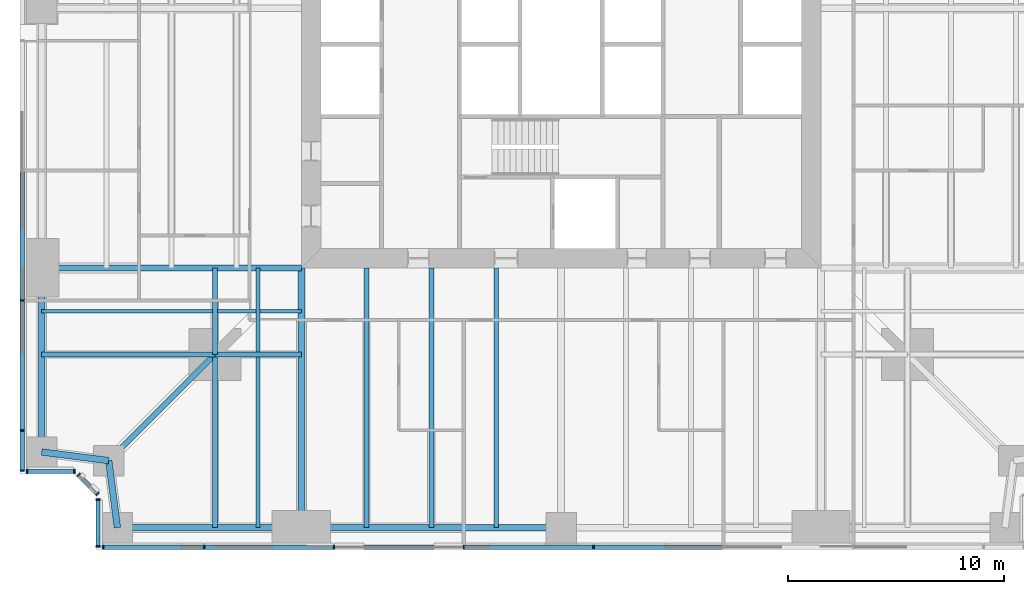
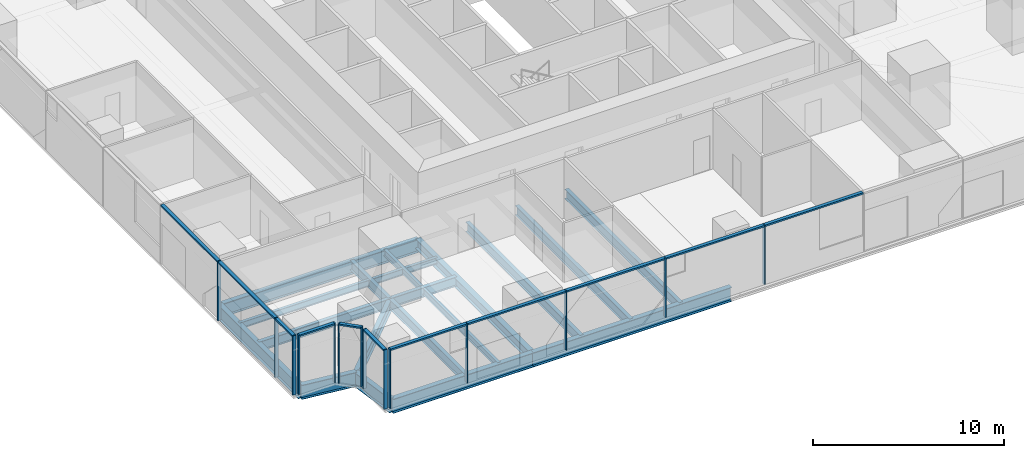
# One storey, part 2 of 14: 25 members, 20 beams, 5 elements without a shape of their own.
"""IFC4 building model written with IfcOpenShell, lengths in metres."""

from ifc_helpers import new_model, si_unit, direction, frame, origin, origin_2d, place, context, subcontext, project, spatial, rectangle, i_section, extrude, material, material_profile, profile_set, type_object, element, aggregate, save


model = new_model("IFC4")

# Units and contexts
model_context = context("Model", 3, precision=1e-05, world=origin(), true_north=direction((0.0, 1.0)))
body_context = subcontext(model_context, "Body", "Model", "MODEL_VIEW")
ifc_project = project(units=[si_unit("LENGTHUNIT", "METRE"), si_unit("AREAUNIT", "SQUARE_METRE"), si_unit("VOLUMEUNIT", "CUBIC_METRE"), si_unit("PLANEANGLEUNIT", "RADIAN"), si_unit("MASSUNIT", "GRAM", prefix="KILO")], contexts=[model_context])

# Site, building, storey
site_placement = place(None, origin())
site = spatial("IfcSite", under=ifc_project, at=site_placement, CompositionType="ELEMENT")
building_placement = place(site_placement, origin())
building = spatial("IfcBuilding", under=site, at=building_placement, Name="Fenwick Lantern Interchange", CompositionType="ELEMENT")
storey_placement = place(building_placement, frame((0.0, 0.0, 87.0)))
storey = spatial("IfcBuildingStorey", under=building, at=storey_placement, Name="L20", CompositionType="ELEMENT", Elevation=87.0)

# Beams
ifc_material_1 = material(Name="Steel ASTM A992 Grade 50", Category="steel")
ifc_material_profile_1 = material_profile(ifc_material_1, i_section(OverallWidth=0.3046875, OverallDepth=0.911865234375, WebThickness=0.015869140625, FlangeThickness=0.02392578125, at=origin_2d()), Name="W36X150")
ifc_profile_set_1 = profile_set([ifc_material_profile_1], Name="Steel ASTM A992 Grade 50")
beam_type_1 = type_object("IfcBeamType", Name="EDGE BEAM W36X150", PredefinedType="SPANDREL", material=ifc_profile_set_1)
beam_1_placement = place(storey_placement, frame((4.5, 1.0, -0.60595703125), z_axis=(1.0, 0.0, 0.0), x_axis=(0.0, 1.0, 0.0)))
element("IfcBeam", 1, at=beam_1_placement, inside=storey, type_object=beam_type_1, Name="L20/FR/S/EB1", PredefinedType="SPANDREL", context=body_context, shape_type="SweptSolid", body=[
    extrude(i_section(OverallWidth=0.3046875, OverallDepth=0.911865234375, WebThickness=0.015869140625, FlangeThickness=0.02392578125, at=origin_2d()), origin(), (0.0, 0.0, 1.0), 8.5),
])
beam_2_placement = place(storey_placement, frame((13.0, 1.0, -0.60595703125), z_axis=(1.0, 0.0, 0.0), x_axis=(0.0, 1.0, 0.0)))
element("IfcBeam", 2, at=beam_2_placement, inside=storey, type_object=beam_type_1, Name="L20/FR/S/EB2", PredefinedType="SPANDREL", context=body_context, shape_type="SweptSolid", body=[
    extrude(i_section(OverallWidth=0.3046875, OverallDepth=0.911865234375, WebThickness=0.015869140625, FlangeThickness=0.02392578125, at=origin_2d()), origin(), (0.0, 0.0, 1.0), 12.0),
])
beam_3_placement = place(storey_placement, frame((1.0, 13.0, -0.60595703125), z_axis=(0.0, -1.0, 0.0), x_axis=(1.0, 0.0, 0.0)))
element("IfcBeam", 3, at=beam_3_placement, inside=storey, type_object=beam_type_1, Name="L20/FR/W/EB4", PredefinedType="SPANDREL", context=body_context, shape_type="SweptSolid", body=[
    extrude(i_section(OverallWidth=0.3046875, OverallDepth=0.911865234375, WebThickness=0.015869140625, FlangeThickness=0.02392578125, at=origin_2d()), origin(), (0.0, 0.0, 1.0), 8.5),
])
for number, where, z_axis, x_axis, name in (
    (4, (1.0, 4.5, -0.60595703125), (0.991782342897, -0.127936641807, 0.0), (0.127936641807, 0.991782342897, 0.0), "L20/FR/W/EBR1"),
    (5, (4.10009765625, 4.10009765625, -0.60595703125), (0.127936641807, -0.991782342897, 0.0), (0.991782342897, 0.127936641807, 0.0), "L20/FR/W/EBR2"),
):
    element("IfcBeam", number, at=place(storey_placement, frame(where, z_axis=z_axis, x_axis=x_axis)), inside=storey, type_object=beam_type_1, Name=name, PredefinedType="SPANDREL", context=body_context, shape_type="SweptSolid", body=[
        extrude(i_section(OverallWidth=0.3046875, OverallDepth=0.911865234375, WebThickness=0.015869140625, FlangeThickness=0.02392578125, at=origin_2d()), origin(), (0.0, 0.0, 1.0), 3.125732421875),
    ])
ifc_material_profile_2 = material_profile(ifc_material_1, i_section(OverallWidth=0.22900390625, OverallDepth=0.612060546875, WebThickness=0.011962890625, FlangeThickness=0.01953125, at=origin_2d()), Name="W24X84")
ifc_profile_set_2 = profile_set([ifc_material_profile_2], Name="Steel ASTM A992 Grade 50")
beam_type_2 = type_object("IfcBeamType", Name="FLOOR BEAM W24X84", PredefinedType="BEAM", material=ifc_profile_set_2)
for number, where, z_axis, x_axis, name in (
    (6, (16.0, 1.0, -0.4560546875), (0.0, 1.0, 0.0), (-1.0, 0.0, 0.0), "L20/FR/S/R02"),
    (7, (19.0, 1.0, -0.4560546875), (0.0, 1.0, 0.0), (-1.0, 0.0, 0.0), "L20/FR/S/R03"),
    (8, (22.0, 1.0, -0.4560546875), (0.0, 1.0, 0.0), (-1.0, 0.0, 0.0), "L20/FR/S/R04"),
):
    element("IfcBeam", number, at=place(storey_placement, frame(where, z_axis=z_axis, x_axis=x_axis)), inside=storey, type_object=beam_type_2, Name=name, PredefinedType="BEAM", context=body_context, shape_type="SweptSolid", body=[
        extrude(i_section(OverallWidth=0.22900390625, OverallDepth=0.612060546875, WebThickness=0.011962890625, FlangeThickness=0.01953125, at=origin_2d()), origin(), (0.0, 0.0, 1.0), 12.0),
    ])
ifc_material_profile_3 = material_profile(ifc_material_1, i_section(OverallWidth=0.177734375, OverallDepth=0.406494140625, WebThickness=0.0078125, FlangeThickness=0.012939453125, at=origin_2d()), Name="W16X40")
ifc_profile_set_3 = profile_set([ifc_material_profile_3], Name="Steel ASTM A992 Grade 50")
beam_type_3 = type_object("IfcBeamType", Name="INFILL BEAM W16X40", PredefinedType="JOIST", material=ifc_profile_set_3)
beam_4_placement = place(storey_placement, frame((11.0, 1.0, -0.353271484375), z_axis=(0.0, 1.0, 0.0), x_axis=(-1.0, 0.0, 0.0)))
element("IfcBeam", 9, at=beam_4_placement, inside=storey, type_object=beam_type_3, Name="L20/FR/S/J1", PredefinedType="JOIST", context=body_context, shape_type="SweptSolid", body=[
    extrude(i_section(OverallWidth=0.177734375, OverallDepth=0.406494140625, WebThickness=0.0078125, FlangeThickness=0.012939453125, at=origin_2d()), origin(), (0.0, 0.0, 1.0), 7.885498046875),
])
beam_5_placement = place(storey_placement, frame((11.0, 9.114501953125, -0.353271484375), z_axis=(0.0, 1.0, 0.0), x_axis=(-1.0, 0.0, 0.0)))
element("IfcBeam", 10, at=beam_5_placement, inside=storey, type_object=beam_type_3, Name="L20/FR/S/J2", PredefinedType="JOIST", context=body_context, shape_type="SweptSolid", body=[
    extrude(i_section(OverallWidth=0.177734375, OverallDepth=0.406494140625, WebThickness=0.0078125, FlangeThickness=0.012939453125, at=origin_2d()), origin(), (0.0, 0.0, 1.0), 3.885498046875),
])
beam_6_placement = place(storey_placement, frame((1.0, 11.0, -0.353271484375), z_axis=(1.0, 0.0, 0.0), x_axis=(0.0, 1.0, 0.0)))
element("IfcBeam", 11, at=beam_6_placement, inside=storey, type_object=beam_type_3, Name="L20/FR/S/J3", PredefinedType="JOIST", context=body_context, shape_type="SweptSolid", body=[
    extrude(i_section(OverallWidth=0.177734375, OverallDepth=0.406494140625, WebThickness=0.0078125, FlangeThickness=0.012939453125, at=origin_2d()), origin(), (0.0, 0.0, 1.0), 7.885498046875),
])
beam_7_placement = place(storey_placement, frame((9.114501953125, 11.0, -0.353271484375), z_axis=(1.0, 0.0, 0.0), x_axis=(0.0, 1.0, 0.0)))
element("IfcBeam", 12, at=beam_7_placement, inside=storey, type_object=beam_type_3, Name="L20/FR/S/J4", PredefinedType="JOIST", context=body_context, shape_type="SweptSolid", body=[
    extrude(i_section(OverallWidth=0.177734375, OverallDepth=0.406494140625, WebThickness=0.0078125, FlangeThickness=0.012939453125, at=origin_2d()), origin(), (0.0, 0.0, 1.0), 1.796630859375),
])
beam_8_placement = place(storey_placement, frame((11.0888671875, 11.0, -0.353271484375), z_axis=(1.0, 0.0, 0.0), x_axis=(0.0, 1.0, 0.0)))
element("IfcBeam", 13, at=beam_8_placement, inside=storey, type_object=beam_type_3, Name="L20/FR/S/J5", PredefinedType="JOIST", context=body_context, shape_type="SweptSolid", body=[
    extrude(i_section(OverallWidth=0.177734375, OverallDepth=0.406494140625, WebThickness=0.0078125, FlangeThickness=0.012939453125, at=origin_2d()), origin(), (0.0, 0.0, 1.0), 1.9111328125),
])
ifc_material_profile_4 = material_profile(ifc_material_1, i_section(OverallWidth=0.22900390625, OverallDepth=0.612060546875, WebThickness=0.011962890625, FlangeThickness=0.01953125, at=origin_2d()), Name="W24X84")
ifc_profile_set_4 = profile_set([ifc_material_profile_4], Name="Steel ASTM A992 Grade 50")
beam_type_4 = type_object("IfcBeamType", Name="MEGA COLUMN BEAM W24X84", PredefinedType="BEAM", material=ifc_profile_set_4)
for number, where, z_axis, x_axis, name in (
    (14, (9.0, 9.0, -0.4560546875), (0.0, -1.0, 0.0), (1.0, 0.0, 0.0), "L20/FR/S/MB1"),
    (15, (9.0, 9.0, -0.4560546875), (-1.0, 0.0, 0.0), (0.0, -1.0, 0.0), "L20/FR/S/MB2"),
):
    element("IfcBeam", number, at=place(storey_placement, frame(where, z_axis=z_axis, x_axis=x_axis)), inside=storey, type_object=beam_type_4, Name=name, PredefinedType="BEAM", context=body_context, shape_type="SweptSolid", body=[
        extrude(i_section(OverallWidth=0.22900390625, OverallDepth=0.612060546875, WebThickness=0.011962890625, FlangeThickness=0.01953125, at=origin_2d()), origin(), (0.0, 0.0, 1.0), 8.0),
    ])
for number, where, z_axis, x_axis, name in (
    (16, (9.0, 9.0, -0.4560546875), (1.0, 0.0, 0.0), (0.0, 1.0, 0.0), "L20/FR/S/MB3"),
    (17, (9.0, 9.0, -0.4560546875), (0.0, 1.0, 0.0), (-1.0, 0.0, 0.0), "L20/FR/S/MB4"),
):
    element("IfcBeam", number, at=place(storey_placement, frame(where, z_axis=z_axis, x_axis=x_axis)), inside=storey, type_object=beam_type_4, Name=name, PredefinedType="BEAM", context=body_context, shape_type="SweptSolid", body=[
        extrude(i_section(OverallWidth=0.22900390625, OverallDepth=0.612060546875, WebThickness=0.011962890625, FlangeThickness=0.01953125, at=origin_2d()), origin(), (0.0, 0.0, 1.0), 4.0),
    ])
ifc_material_profile_5 = material_profile(ifc_material_1, i_section(OverallWidth=0.32763671875, OverallDepth=0.622314453125, WebThickness=0.015380859375, FlangeThickness=0.0244140625, at=origin_2d()), Name="W24X131")
ifc_profile_set_5 = profile_set([ifc_material_profile_5], Name="Steel ASTM A992 Grade 50")
beam_type_5 = type_object("IfcBeamType", Name="MOMENT-CONNECTED GIRDER W24X131", PredefinedType="BEAM", material=ifc_profile_set_5)
beam_9_placement = place(storey_placement, frame((13.0, 1.0, -0.461181640625), z_axis=(0.0, 1.0, 0.0), x_axis=(-1.0, 0.0, 0.0)))
element("IfcBeam", 18, at=beam_9_placement, inside=storey, type_object=beam_type_5, Name="L20/FR/S/R01", PredefinedType="BEAM", context=body_context, shape_type="SweptSolid", body=[
    extrude(i_section(OverallWidth=0.32763671875, OverallDepth=0.622314453125, WebThickness=0.015380859375, FlangeThickness=0.0244140625, at=origin_2d()), origin(), (0.0, 0.0, 1.0), 12.0),
])
ifc_material_profile_6 = material_profile(ifc_material_1, i_section(OverallWidth=0.2919921875, OverallDepth=0.845703125, WebThickness=0.015380859375, FlangeThickness=0.0244140625, at=origin_2d()), Name="W33X141")
ifc_profile_set_6 = profile_set([ifc_material_profile_6], Name="Steel ASTM A992 Grade 50")
beam_type_6 = type_object("IfcBeamType", Name="MOMENT-CONNECTED GIRDER W33X141", PredefinedType="BEAM", material=ifc_profile_set_6)
beam_10_placement = place(storey_placement, frame((1.0, 13.0, -0.572998046875), z_axis=(1.0, 0.0, 0.0), x_axis=(0.0, 1.0, 0.0)))
element("IfcBeam", 19, at=beam_10_placement, inside=storey, type_object=beam_type_6, Name="L20/FR/W/R03", PredefinedType="BEAM", context=body_context, shape_type="SweptSolid", body=[
    extrude(i_section(OverallWidth=0.2919921875, OverallDepth=0.845703125, WebThickness=0.015380859375, FlangeThickness=0.0244140625, at=origin_2d()), origin(), (0.0, 0.0, 1.0), 12.0),
])
ifc_material_profile_7 = material_profile(ifc_material_1, i_section(OverallWidth=0.2666015625, OverallDepth=0.7568359375, WebThickness=0.013916015625, FlangeThickness=0.019287109375, at=origin_2d()), Name="W30X108")
ifc_profile_set_7 = profile_set([ifc_material_profile_7], Name="Steel ASTM A992 Grade 50")
beam_type_7 = type_object("IfcBeamType", Name="NOTCH BEAM W30X108", PredefinedType="BEAM", material=ifc_profile_set_7)
beam_11_placement = place(storey_placement, frame((9.0, 9.0, -0.528564453125), z_axis=(-0.707106781187, -0.707106781187, 0.0), x_axis=(0.707106781187, -0.707106781187, 0.0)))
element("IfcBeam", 20, at=beam_11_placement, inside=storey, type_object=beam_type_7, Name="L20/FR/S/TG", PredefinedType="BEAM", context=body_context, shape_type="SweptSolid", body=[
    extrude(i_section(OverallWidth=0.2666015625, OverallDepth=0.7568359375, WebThickness=0.013916015625, FlangeThickness=0.019287109375, at=origin_2d()), origin(), (0.0, 0.0, 1.0), 6.929443359375),
])

# Curtain wall, members
ifc_material_2 = material(Name="Aluminium curtain wall frame", Category="aluminium")
curtain_wall_type = type_object("IfcCurtainWallType", Name="OFFICE CURTAIN WALL", PredefinedType="USERDEFINED", material=ifc_material_2)
curtain_wall_1_placement = place(storey_placement, origin())
curtain_wall_1 = element("IfcCurtainWall", 21, at=curtain_wall_1_placement, inside=storey, type_object=curtain_wall_type, Name="Office curtain wall 01", ObjectType="OFFICE CURTAIN WALL", PredefinedType="USERDEFINED")
ifc_material_3 = material(Name="Aluminium extrusion", Category="aluminium")
ifc_material_profile_8 = material_profile(ifc_material_3, rectangle(XDim=0.199951171875, YDim=0.06494140625, at=origin_2d()), Name="OFFICE CURTAIN WALL MULLION 65 X 200")
ifc_profile_set_8 = profile_set([ifc_material_profile_8], Name="Aluminium extrusion")
member_type_1 = type_object("IfcMemberType", Name="OFFICE CURTAIN WALL MULLION 65 X 200", PredefinedType="MULLION", material=ifc_profile_set_8)
member_1_placement = place(storey_placement, frame((3.83251953125, 0.10009765625, 0.0), z_axis=(0.0, 0.0, 1.0), x_axis=(0.0, 1.0, 0.0)))
member_1 = element("IfcMember", 22, at=member_1_placement, type_object=member_type_1, Name="L20/CW/01/M00", PredefinedType="MULLION", context=body_context, shape_type="SweptSolid", body=[
    extrude(rectangle(XDim=0.199951171875, YDim=0.06494140625, at=origin_2d()), origin(), (0.0, 0.0, 1.0), 3.800048828125),
])
member_2_placement = place(storey_placement, frame((8.5, 0.10009765625, 0.0), z_axis=(0.0, 0.0, 1.0), x_axis=(0.0, 1.0, 0.0)))
member_2 = element("IfcMember", 23, at=member_2_placement, type_object=member_type_1, Name="L20/CW/01/M01", PredefinedType="MULLION", context=body_context, shape_type="SweptSolid", body=[
    extrude(rectangle(XDim=0.199951171875, YDim=0.06494140625, at=origin_2d()), origin(), (0.0, 0.0, 1.0), 3.800048828125),
])
member_3_placement = place(storey_placement, frame((14.5, 0.10009765625, 0.0), z_axis=(0.0, 0.0, 1.0), x_axis=(0.0, 1.0, 0.0)))
member_3 = element("IfcMember", 24, at=member_3_placement, type_object=member_type_1, Name="L20/CW/01/M02", PredefinedType="MULLION", context=body_context, shape_type="SweptSolid", body=[
    extrude(rectangle(XDim=0.199951171875, YDim=0.06494140625, at=origin_2d()), origin(), (0.0, 0.0, 1.0), 3.800048828125),
])
member_4_placement = place(storey_placement, frame((20.5, 0.10009765625, 0.0), z_axis=(0.0, 0.0, 1.0), x_axis=(0.0, 1.0, 0.0)))
member_4 = element("IfcMember", 25, at=member_4_placement, type_object=member_type_1, Name="L20/CW/01/M03", PredefinedType="MULLION", context=body_context, shape_type="SweptSolid", body=[
    extrude(rectangle(XDim=0.199951171875, YDim=0.06494140625, at=origin_2d()), origin(), (0.0, 0.0, 1.0), 3.800048828125),
])
member_5_placement = place(storey_placement, frame((26.5, 0.10009765625, 0.0), z_axis=(0.0, 0.0, 1.0), x_axis=(0.0, 1.0, 0.0)))
member_5 = element("IfcMember", 26, at=member_5_placement, type_object=member_type_1, Name="L20/CW/01/M04", PredefinedType="MULLION", context=body_context, shape_type="SweptSolid", body=[
    extrude(rectangle(XDim=0.199951171875, YDim=0.06494140625, at=origin_2d()), origin(), (0.0, 0.0, 1.0), 3.800048828125),
])

curtain_wall_2_placement = place(storey_placement, origin())
curtain_wall_2 = element("IfcCurtainWall", 27, at=curtain_wall_2_placement, inside=storey, type_object=curtain_wall_type, Name="Office curtain wall 13", ObjectType="OFFICE CURTAIN WALL", PredefinedType="USERDEFINED")
member_6_placement = place(storey_placement, frame((0.10009765625, 11.5, 0.0), z_axis=(0.0, 0.0, 1.0), x_axis=(1.0, 0.0, 0.0)))
member_6 = element("IfcMember", 28, at=member_6_placement, type_object=member_type_1, Name="L20/CW/13/M06", PredefinedType="MULLION", context=body_context, shape_type="SweptSolid", body=[
    extrude(rectangle(XDim=0.199951171875, YDim=0.06494140625, at=origin_2d()), origin(), (0.0, 0.0, 1.0), 3.800048828125),
])
member_7_placement = place(storey_placement, frame((0.10009765625, 5.5, 0.0), z_axis=(0.0, 0.0, 1.0), x_axis=(1.0, 0.0, 0.0)))
member_7 = element("IfcMember", 29, at=member_7_placement, type_object=member_type_1, Name="L20/CW/13/M07", PredefinedType="MULLION", context=body_context, shape_type="SweptSolid", body=[
    extrude(rectangle(XDim=0.199951171875, YDim=0.06494140625, at=origin_2d()), origin(), (0.0, 0.0, 1.0), 3.800048828125),
])
member_8_placement = place(storey_placement, frame((0.10009765625, 3.632568359375, 0.0), z_axis=(0.0, 0.0, 1.0), x_axis=(1.0, 0.0, 0.0)))
member_8 = element("IfcMember", 30, at=member_8_placement, type_object=member_type_1, Name="L20/CW/13/M08", PredefinedType="MULLION", context=body_context, shape_type="SweptSolid", body=[
    extrude(rectangle(XDim=0.199951171875, YDim=0.06494140625, at=origin_2d()), origin(), (0.0, 0.0, 1.0), 3.800048828125),
])

curtain_wall_3_placement = place(storey_placement, origin())
curtain_wall_3 = element("IfcCurtainWall", 31, at=curtain_wall_3_placement, inside=storey, type_object=curtain_wall_type, Name="Office curtain wall 14", ObjectType="OFFICE CURTAIN WALL", PredefinedType="USERDEFINED")
member_9_placement = place(storey_placement, frame((0.33251953125, 3.60009765625, 0.0), z_axis=(0.0, 0.0, 1.0), x_axis=(0.0, 1.0, 0.0)))
member_9 = element("IfcMember", 32, at=member_9_placement, type_object=member_type_1, Name="L20/CW/14/M00", PredefinedType="MULLION", context=body_context, shape_type="SweptSolid", body=[
    extrude(rectangle(XDim=0.199951171875, YDim=0.06494140625, at=origin_2d()), origin(), (0.0, 0.0, 1.0), 3.800048828125),
])
member_10_placement = place(storey_placement, frame((2.509033203125, 3.60009765625, 0.0), z_axis=(0.0, 0.0, 1.0), x_axis=(0.0, 1.0, 0.0)))
member_10 = element("IfcMember", 33, at=member_10_placement, type_object=member_type_1, Name="L20/CW/14/M01", PredefinedType="MULLION", context=body_context, shape_type="SweptSolid", body=[
    extrude(rectangle(XDim=0.199951171875, YDim=0.06494140625, at=origin_2d()), origin(), (0.0, 0.0, 1.0), 3.800048828125),
])

curtain_wall_4_placement = place(storey_placement, origin())
curtain_wall_4 = element("IfcCurtainWall", 34, at=curtain_wall_4_placement, inside=storey, type_object=curtain_wall_type, Name="Office curtain wall 15", ObjectType="OFFICE CURTAIN WALL", PredefinedType="USERDEFINED")
member_11_placement = place(storey_placement, frame((2.705810546875, 3.435546875, 0.0), z_axis=(0.0, 0.0, 1.0), x_axis=(0.707106781187, 0.707106781187, 0.0)))
member_11 = element("IfcMember", 35, at=member_11_placement, type_object=member_type_1, Name="L20/CW/15/M00", PredefinedType="MULLION", context=body_context, shape_type="SweptSolid", body=[
    extrude(rectangle(XDim=0.199951171875, YDim=0.06494140625, at=origin_2d()), origin(), (0.0, 0.0, 1.0), 3.800048828125),
])
member_12_placement = place(storey_placement, frame((3.576904296875, 2.564453125, 0.0), z_axis=(0.0, 0.0, 1.0), x_axis=(0.707106781187, 0.707106781187, 0.0)))
member_12 = element("IfcMember", 36, at=member_12_placement, type_object=member_type_1, Name="L20/CW/15/M01", PredefinedType="MULLION", context=body_context, shape_type="SweptSolid", body=[
    extrude(rectangle(XDim=0.199951171875, YDim=0.06494140625, at=origin_2d()), origin(), (0.0, 0.0, 1.0), 3.800048828125),
])

curtain_wall_5_placement = place(storey_placement, origin())
curtain_wall_5 = element("IfcCurtainWall", 37, at=curtain_wall_5_placement, inside=storey, type_object=curtain_wall_type, Name="Office curtain wall 16", ObjectType="OFFICE CURTAIN WALL", PredefinedType="USERDEFINED")
member_13_placement = place(storey_placement, frame((3.60009765625, 2.308837890625, 0.0), z_axis=(0.0, 0.0, 1.0), x_axis=(1.0, 0.0, 0.0)))
member_13 = element("IfcMember", 38, at=member_13_placement, type_object=member_type_1, Name="L20/CW/16/M00", PredefinedType="MULLION", context=body_context, shape_type="SweptSolid", body=[
    extrude(rectangle(XDim=0.199951171875, YDim=0.06494140625, at=origin_2d()), origin(), (0.0, 0.0, 1.0), 3.800048828125),
])
member_14_placement = place(storey_placement, frame((3.60009765625, 0.132568359375, 0.0), z_axis=(0.0, 0.0, 1.0), x_axis=(1.0, 0.0, 0.0)))
member_14 = element("IfcMember", 39, at=member_14_placement, type_object=member_type_1, Name="L20/CW/16/M01", PredefinedType="MULLION", context=body_context, shape_type="SweptSolid", body=[
    extrude(rectangle(XDim=0.199951171875, YDim=0.06494140625, at=origin_2d()), origin(), (0.0, 0.0, 1.0), 3.800048828125),
])

# Member
ifc_material_profile_9 = material_profile(ifc_material_3, rectangle(XDim=0.199951171875, YDim=0.10009765625, at=origin_2d()), Name="OFFICE CURTAIN WALL TRANSOM 100 X 200")
ifc_profile_set_9 = profile_set([ifc_material_profile_9], Name="Aluminium extrusion")
member_type_2 = type_object("IfcMemberType", Name="OFFICE CURTAIN WALL TRANSOM 100 X 200", PredefinedType="MULLION", material=ifc_profile_set_9)
member_15_placement = place(storey_placement, frame((3.864990234375, 0.10009765625, 3.75), z_axis=(1.0, 0.0, 0.0), x_axis=(0.0, 1.0, 0.0)))
member_15 = element("IfcMember", 40, at=member_15_placement, type_object=member_type_2, Name="L20/CW/01/T00", PredefinedType="MULLION", context=body_context, shape_type="SweptSolid", body=[
    extrude(rectangle(XDim=0.199951171875, YDim=0.10009765625, at=origin_2d()), origin(), (0.0, 0.0, 1.0), 4.6025390625),
])

member_16_placement = place(storey_placement, frame((8.532470703125, 0.10009765625, 3.75), z_axis=(1.0, 0.0, 0.0), x_axis=(0.0, 1.0, 0.0)))
member_16 = element("IfcMember", 41, at=member_16_placement, type_object=member_type_2, Name="L20/CW/01/T01", PredefinedType="MULLION", context=body_context, shape_type="SweptSolid", body=[
    extrude(rectangle(XDim=0.199951171875, YDim=0.10009765625, at=origin_2d()), origin(), (0.0, 0.0, 1.0), 5.93505859375),
])

member_17_placement = place(storey_placement, frame((14.532470703125, 0.10009765625, 3.75), z_axis=(1.0, 0.0, 0.0), x_axis=(0.0, 1.0, 0.0)))
member_17 = element("IfcMember", 42, at=member_17_placement, type_object=member_type_2, Name="L20/CW/01/T02", PredefinedType="MULLION", context=body_context, shape_type="SweptSolid", body=[
    extrude(rectangle(XDim=0.199951171875, YDim=0.10009765625, at=origin_2d()), origin(), (0.0, 0.0, 1.0), 5.93505859375),
])

member_18_placement = place(storey_placement, frame((20.532470703125, 0.10009765625, 3.75), z_axis=(1.0, 0.0, 0.0), x_axis=(0.0, 1.0, 0.0)))
member_18 = element("IfcMember", 43, at=member_18_placement, type_object=member_type_2, Name="L20/CW/01/T03", PredefinedType="MULLION", context=body_context, shape_type="SweptSolid", body=[
    extrude(rectangle(XDim=0.199951171875, YDim=0.10009765625, at=origin_2d()), origin(), (0.0, 0.0, 1.0), 5.93505859375),
])

member_19_placement = place(storey_placement, frame((26.532470703125, 0.10009765625, 3.75), z_axis=(1.0, 0.0, 0.0), x_axis=(0.0, 1.0, 0.0)))
member_19 = element("IfcMember", 44, at=member_19_placement, type_object=member_type_2, Name="L20/CW/01/T04", PredefinedType="MULLION", context=body_context, shape_type="SweptSolid", body=[
    extrude(rectangle(XDim=0.199951171875, YDim=0.10009765625, at=origin_2d()), origin(), (0.0, 0.0, 1.0), 5.93505859375),
])

aggregate(curtain_wall_1, [member_1, member_2, member_3, member_4, member_5, member_15, member_16, member_17, member_18, member_19])

member_20_placement = place(storey_placement, frame((0.10009765625, 17.467529296875, 3.75), z_axis=(0.0, -1.0, 0.0), x_axis=(1.0, 0.0, 0.0)))
member_20 = element("IfcMember", 45, at=member_20_placement, type_object=member_type_2, Name="L20/CW/13/T05", PredefinedType="MULLION", context=body_context, shape_type="SweptSolid", body=[
    extrude(rectangle(XDim=0.199951171875, YDim=0.10009765625, at=origin_2d()), origin(), (0.0, 0.0, 1.0), 5.93505859375),
])

member_21_placement = place(storey_placement, frame((0.10009765625, 11.467529296875, 3.75), z_axis=(0.0, -1.0, 0.0), x_axis=(1.0, 0.0, 0.0)))
member_21 = element("IfcMember", 46, at=member_21_placement, type_object=member_type_2, Name="L20/CW/13/T06", PredefinedType="MULLION", context=body_context, shape_type="SweptSolid", body=[
    extrude(rectangle(XDim=0.199951171875, YDim=0.10009765625, at=origin_2d()), origin(), (0.0, 0.0, 1.0), 5.93505859375),
])

member_22_placement = place(storey_placement, frame((0.10009765625, 5.467529296875, 3.75), z_axis=(0.0, -1.0, 0.0), x_axis=(1.0, 0.0, 0.0)))
member_22 = element("IfcMember", 47, at=member_22_placement, type_object=member_type_2, Name="L20/CW/13/T07", PredefinedType="MULLION", context=body_context, shape_type="SweptSolid", body=[
    extrude(rectangle(XDim=0.199951171875, YDim=0.10009765625, at=origin_2d()), origin(), (0.0, 0.0, 1.0), 1.802490234375),
])

aggregate(curtain_wall_2, [member_6, member_7, member_8, member_20, member_21, member_22])

member_23_placement = place(storey_placement, frame((0.364990234375, 3.60009765625, 3.75), z_axis=(1.0, 0.0, 0.0), x_axis=(0.0, 1.0, 0.0)))
member_23 = element("IfcMember", 48, at=member_23_placement, type_object=member_type_2, Name="L20/CW/14/T00", PredefinedType="MULLION", context=body_context, shape_type="SweptSolid", body=[
    extrude(rectangle(XDim=0.199951171875, YDim=0.10009765625, at=origin_2d()), origin(), (0.0, 0.0, 1.0), 2.111328125),
])

aggregate(curtain_wall_3, [member_9, member_10, member_23])

member_24_placement = place(storey_placement, frame((2.728759765625, 3.41259765625, 3.75), z_axis=(0.707106781187, -0.707106781187, 0.0), x_axis=(0.707106781187, 0.707106781187, 0.0)))
member_24 = element("IfcMember", 49, at=member_24_placement, type_object=member_type_2, Name="L20/CW/15/T00", PredefinedType="MULLION", context=body_context, shape_type="SweptSolid", body=[
    extrude(rectangle(XDim=0.199951171875, YDim=0.10009765625, at=origin_2d()), origin(), (0.0, 0.0, 1.0), 1.1669921875),
])

aggregate(curtain_wall_4, [member_11, member_12, member_24])

member_25_placement = place(storey_placement, frame((3.60009765625, 2.2763671875, 3.75), z_axis=(0.0, -1.0, 0.0), x_axis=(1.0, 0.0, 0.0)))
member_25 = element("IfcMember", 50, at=member_25_placement, type_object=member_type_2, Name="L20/CW/16/T00", PredefinedType="MULLION", context=body_context, shape_type="SweptSolid", body=[
    extrude(rectangle(XDim=0.199951171875, YDim=0.10009765625, at=origin_2d()), origin(), (0.0, 0.0, 1.0), 2.111328125),
])

aggregate(curtain_wall_5, [member_13, member_14, member_25])

save(model, "model.ifc")
